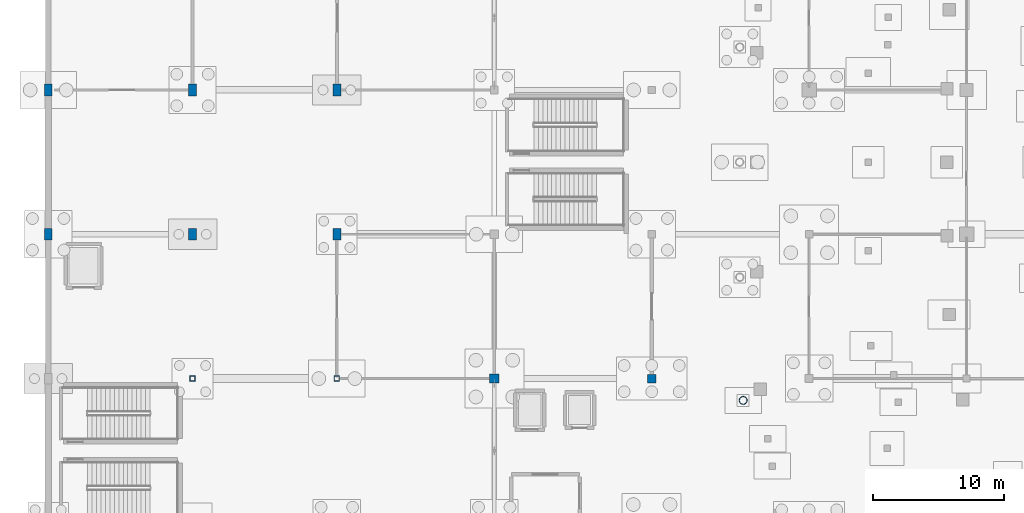
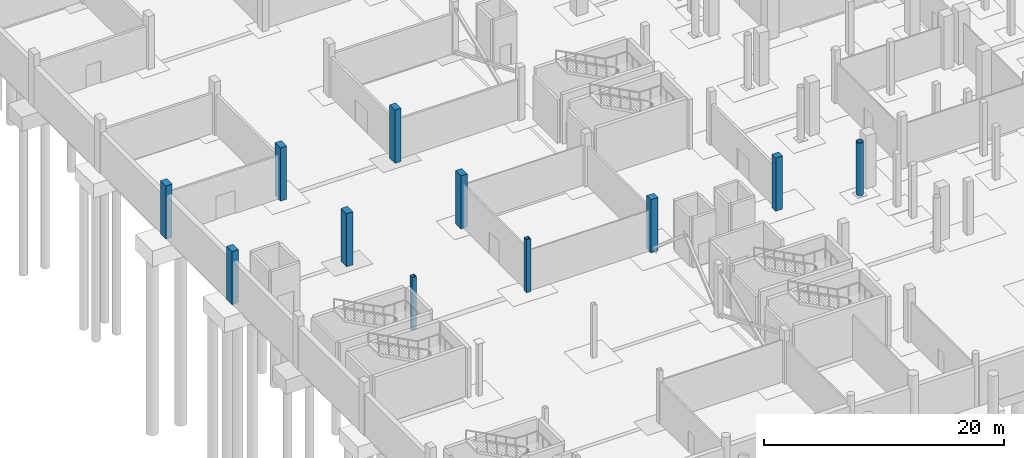
# One storey, part 11 of 60: 11 columns.
"""IFC4 building model written with IfcOpenShell, lengths in metres."""

from ifc_helpers import new_model, si_unit, direction, frame, origin, origin_2d, place, context, subcontext, project, spatial, rectangle, hollow_rectangle, hollow_circle, extrude, material, material_profile, profile_set, type_object, element, save


model = new_model("IFC4")

# Units and contexts
model_context = context("Model", 3, precision=1e-05, world=origin(), true_north=direction((0.0, 1.0)))
body_context = subcontext(model_context, "Body", "Model", "MODEL_VIEW")
ifc_project = project(units=[si_unit("LENGTHUNIT", "METRE"), si_unit("AREAUNIT", "SQUARE_METRE"), si_unit("VOLUMEUNIT", "CUBIC_METRE"), si_unit("PLANEANGLEUNIT", "RADIAN"), si_unit("MASSUNIT", "GRAM", prefix="KILO")], contexts=[model_context])

# Site, building, storey
site_placement = place(None, origin())
site = spatial("IfcSite", under=ifc_project, at=site_placement, CompositionType="ELEMENT")
building_placement = place(site_placement, origin())
building = spatial("IfcBuilding", under=site, at=building_placement, Name="Luwafu Chhajja Arena", CompositionType="ELEMENT")
storey_placement = place(building_placement, frame((0.0, 0.0, -5.39990234375)))
storey = spatial("IfcBuildingStorey", under=building, at=storey_placement, Name="B1", CompositionType="ELEMENT", Elevation=-5.39990234375)

# Columns
ifc_material_1 = material(Name="Steel S355", Category="steel")
ifc_material_profile_1 = material_profile(ifc_material_1, hollow_rectangle(XDim=0.39990234375, YDim=0.39990234375, WallThickness=0.02001953125, at=origin_2d()), Name="SHS 400x400x20")
ifc_profile_set_1 = profile_set([ifc_material_profile_1], Name="Steel S355")
column_type_1 = type_object("IfcColumnType", Name="Steel Atrium Column SHS 400", PredefinedType="COLUMN", material=ifc_profile_set_1)
for number, where, z_axis, x_axis, name in (
    (1, (11.0, 33.0, 0.0), (0.0, 0.0, 1.0), (1.0, 0.0, 0.0), "B1 Grid Column 2/D"),
    (2, (22.0, 33.0, 0.0), (0.0, 0.0, 1.0), (1.0, 0.0, 0.0), "B1 Grid Column 3/D"),
):
    element("IfcColumn", number, at=place(storey_placement, frame(where, z_axis=z_axis, x_axis=x_axis)), inside=storey, type_object=column_type_1, Name=name, PredefinedType="COLUMN", context=body_context, shape_type="SweptSolid", body=[
        extrude(hollow_rectangle(XDim=0.39990234375, YDim=0.39990234375, WallThickness=0.02001953125, at=origin_2d()), origin(), (0.0, 0.0, 1.0), 5.39990234375),
    ])
ifc_material_profile_2 = material_profile(ifc_material_1, hollow_circle(Radius=0.304931640625, WallThickness=0.02490234375, at=origin_2d()), Name="CHS 610x25")
ifc_profile_set_2 = profile_set([ifc_material_profile_2], Name="Steel S355")
column_type_2 = type_object("IfcColumnType", Name="Steel Bowl Drum Column CHS 610", PredefinedType="COLUMN", material=ifc_profile_set_2)
column_1_placement = place(storey_placement, frame((52.968017578125, 31.3388671875, 0.0), z_axis=(0.0, 0.0, 1.0), x_axis=(1.0, 0.0, 0.0)))
element("IfcColumn", 3, at=column_1_placement, inside=storey, type_object=column_type_2, Name="B1 Bowl Drum Column D19", PredefinedType="COLUMN", context=body_context, shape_type="SweptSolid", body=[
    extrude(hollow_circle(Radius=0.304931640625, WallThickness=0.02490234375, at=origin_2d()), origin(), (0.0, 0.0, 1.0), 5.39990234375),
])
ifc_material_2 = material(Name="Concrete C35/45", Category="concrete")
ifc_material_profile_3 = material_profile(ifc_material_2, rectangle(XDim=0.64990234375, YDim=0.64990234375, at=origin_2d()), Name="RC 650x650")
ifc_profile_set_3 = profile_set([ifc_material_profile_3], Name="Concrete C35/45")
column_type_3 = type_object("IfcColumnType", Name="Upper Wing Column RC 650", PredefinedType="COLUMN", material=ifc_profile_set_3)
column_2_placement = place(storey_placement, frame((46.0, 33.0, 0.0), z_axis=(0.0, 0.0, 1.0), x_axis=(1.0, 0.0, 0.0)))
element("IfcColumn", 4, at=column_2_placement, inside=storey, type_object=column_type_3, Name="B1 Grid Column 5/D", PredefinedType="COLUMN", context=body_context, shape_type="SweptSolid", body=[
    extrude(rectangle(XDim=0.64990234375, YDim=0.64990234375, at=origin_2d()), origin(), (0.0, 0.0, 1.0), 5.39990234375),
])
ifc_material_3 = material(Name="Concrete C40/50", Category="concrete")
ifc_material_profile_4 = material_profile(ifc_material_3, rectangle(XDim=0.60009765625, YDim=0.89990234375, at=origin_2d()), Name="RC 600x900")
ifc_profile_set_4 = profile_set([ifc_material_profile_4], Name="Concrete C40/50")
column_type_4 = type_object("IfcColumnType", Name="Warm-Up Hall Portal Column RC 600x900", PredefinedType="COLUMN", material=ifc_profile_set_4)
for number, where, z_axis, x_axis, name in (
    (5, (0.0, 44.0, 0.0), (0.0, 0.0, 1.0), (1.0, 0.0, 0.0), "B1 Grid Column 1/E"),
    (6, (0.0, 55.0, 0.0), (0.0, 0.0, 1.0), (1.0, 0.0, 0.0), "B1 Grid Column 1/F"),
    (7, (11.0, 44.0, 0.0), (0.0, 0.0, 1.0), (1.0, 0.0, 0.0), "B1 Grid Column 2/E"),
    (8, (11.0, 55.0, 0.0), (0.0, 0.0, 1.0), (1.0, 0.0, 0.0), "B1 Grid Column 2/F"),
    (9, (22.0, 44.0, 0.0), (0.0, 0.0, 1.0), (1.0, 0.0, 0.0), "B1 Grid Column 3/E"),
    (10, (22.0, 55.0, 0.0), (0.0, 0.0, 1.0), (1.0, 0.0, 0.0), "B1 Grid Column 3/F"),
):
    element("IfcColumn", number, at=place(storey_placement, frame(where, z_axis=z_axis, x_axis=x_axis)), inside=storey, type_object=column_type_4, Name=name, PredefinedType="COLUMN", context=body_context, shape_type="SweptSolid", body=[
        extrude(rectangle(XDim=0.60009765625, YDim=0.89990234375, at=origin_2d()), origin(), (0.0, 0.0, 1.0), 5.39990234375),
    ])
ifc_material_profile_5 = material_profile(ifc_material_2, rectangle(XDim=0.699951171875, YDim=0.699951171875, at=origin_2d()), Name="RC 700x700")
ifc_profile_set_5 = profile_set([ifc_material_profile_5], Name="Concrete C35/45")
column_type_5 = type_object("IfcColumnType", Name="Wing Frame Column RC 700", PredefinedType="COLUMN", material=ifc_profile_set_5)
column_3_placement = place(storey_placement, frame((34.0, 33.0, 0.0), z_axis=(0.0, 0.0, 1.0), x_axis=(1.0, 0.0, 0.0)))
element("IfcColumn", 11, at=column_3_placement, inside=storey, type_object=column_type_5, Name="B1 Grid Column 4/D", PredefinedType="COLUMN", context=body_context, shape_type="SweptSolid", body=[
    extrude(rectangle(XDim=0.699951171875, YDim=0.699951171875, at=origin_2d()), origin(), (0.0, 0.0, 1.0), 5.39990234375),
])

save(model, "model.ifc")
